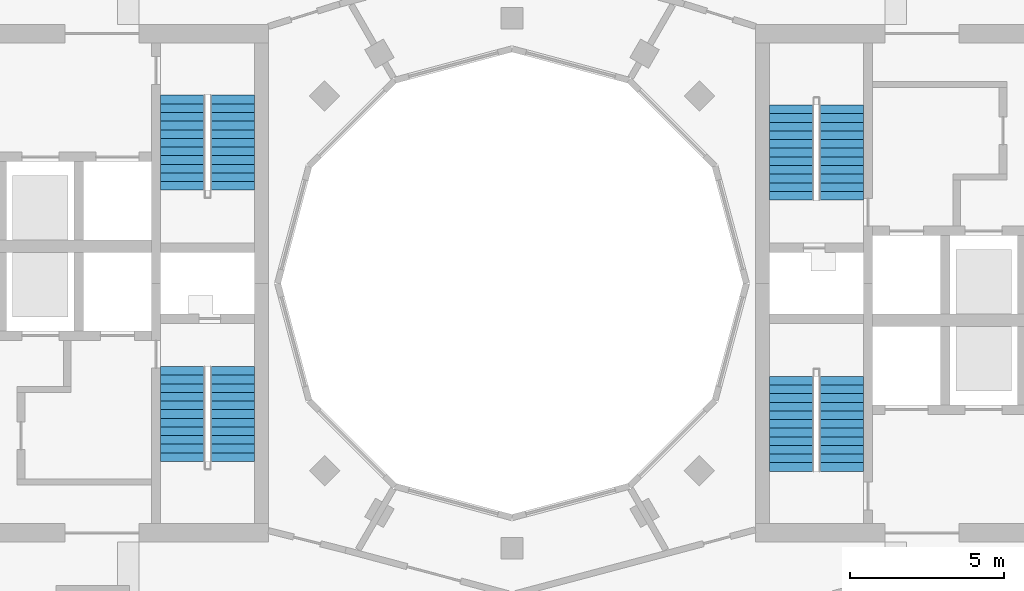
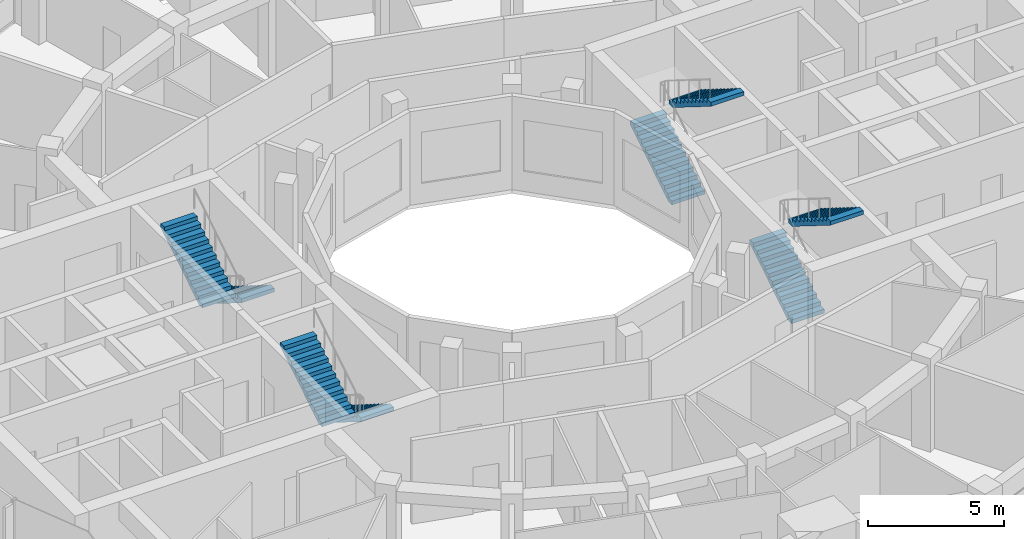
# One storey, part 13 of 15: 8 stair flights, 4 elements without a shape of their own.
"""IFC4 building model written with IfcOpenShell, lengths in metres."""

from ifc_helpers import new_model, si_unit, direction, frame, origin, place, context, subcontext, project, spatial, polyline, outline, extrude, material, layer, layer_set, type_object, element, aggregate, save


model = new_model("IFC4")

# Units and contexts
model_context = context("Model", 3, precision=1e-05, world=origin(), true_north=direction((0.0, 1.0)))
body_context = subcontext(model_context, "Body", "Model", "MODEL_VIEW")
ifc_project = project(units=[si_unit("LENGTHUNIT", "METRE"), si_unit("AREAUNIT", "SQUARE_METRE"), si_unit("VOLUMEUNIT", "CUBIC_METRE"), si_unit("PLANEANGLEUNIT", "RADIAN"), si_unit("MASSUNIT", "GRAM", prefix="KILO")], contexts=[model_context])

# Site, building, storey
site_placement = place(None, origin())
site = spatial("IfcSite", under=ifc_project, at=site_placement, CompositionType="ELEMENT")
building_placement = place(site_placement, origin())
building = spatial("IfcBuilding", under=site, at=building_placement, Name="Torre Brocal", CompositionType="ELEMENT")
storey_placement = place(building_placement, frame((0.0, 0.0, 212.5)))
storey = spatial("IfcBuildingStorey", under=building, at=storey_placement, Name="L49", CompositionType="ELEMENT", Elevation=212.5)

# Stair, stair flights
ifc_material_1 = material(Name="Concrete C50", Category="concrete")
stair_type = type_object("IfcStairType", Name="EXIT STAIR", PredefinedType="HALF_TURN_STAIR", material=ifc_material_1)
stair_1_placement = place(storey_placement, origin())
stair_1 = element("IfcStair", 1, at=stair_1_placement, inside=storey, type_object=stair_type, Name="EXIT STAIR ST1", PredefinedType="HALF_TURN_STAIR")
ifc_material_2 = material(Name="Concrete C50", Category="concrete")
ifc_layer = layer(ifc_material_2, 0.14990234375)
ifc_layer_set = layer_set([ifc_layer], Name="Concrete C50")
stair_flight_type = type_object("IfcStairFlightType", Name="STAIR FLIGHT", PredefinedType="STRAIGHT", material=ifc_layer_set)
stair_flight_1_placement = place(storey_placement, frame((89.050048828125, 77.699951171875, 0.0), z_axis=(0.0, 0.0, 1.0), x_axis=(0.0, 1.0, 0.0)))
stair_flight_1 = element("IfcStairFlight", 2, at=stair_flight_1_placement, type_object=stair_flight_type, Name="ST1 flight 1", NumberOfRisers=12, NumberOfTreads=11, PredefinedType="STRAIGHT", RiserHeight=0.175, TreadLength=0.28, context=body_context, shape_type="SweptSolid", body=[
    extrude(outline(polyline([(0.0, 0.0), (0.0, 0.175048828125), (0.280029296875, 0.175048828125), (0.280029296875, 0.35009765625), (0.56005859375, 0.35009765625), (0.56005859375, 0.52490234375), (0.840087890625, 0.52490234375), (0.840087890625, 0.699951171875), (1.1201171875, 0.699951171875), (1.1201171875, 0.875), (1.39990234375, 0.875), (1.39990234375, 1.050048828125), (1.679931640625, 1.050048828125), (1.679931640625, 1.22509765625), (1.9599609375, 1.22509765625), (1.9599609375, 1.39990234375), (2.239990234375, 1.39990234375), (2.239990234375, 1.574951171875), (2.52001953125, 1.574951171875), (2.52001953125, 1.75), (2.800048828125, 1.75), (2.800048828125, 1.925048828125), (3.080078125, 1.925048828125), (3.080078125, 2.10009765625), (3.080078125, 1.748291015625), (0.28271484375, 0.0), (0.0, 0.0)])), frame((0.0, 0.699951171875, 0.0), z_axis=(0.0, -1.0, 0.0), x_axis=(1.0, 0.0, 0.0)), (0.0, 0.0, 1.0), 1.39990234375),
])
stair_flight_2_placement = place(storey_placement, frame((90.699951171875, 80.780029296875, 2.10009765625), z_axis=(0.0, 0.0, 1.0), x_axis=(0.0, -1.0, 0.0)))
stair_flight_2 = element("IfcStairFlight", 3, at=stair_flight_2_placement, type_object=stair_flight_type, Name="ST1 flight 2", NumberOfRisers=12, NumberOfTreads=11, PredefinedType="STRAIGHT", RiserHeight=0.175, TreadLength=0.28, context=body_context, shape_type="SweptSolid", body=[
    extrude(outline(polyline([(0.0, 0.0), (0.0, 0.175048828125), (0.280029296875, 0.175048828125), (0.280029296875, 0.35009765625), (0.56005859375, 0.35009765625), (0.56005859375, 0.52490234375), (0.840087890625, 0.52490234375), (0.840087890625, 0.699951171875), (1.1201171875, 0.699951171875), (1.1201171875, 0.875), (1.39990234375, 0.875), (1.39990234375, 1.050048828125), (1.679931640625, 1.050048828125), (1.679931640625, 1.22509765625), (1.9599609375, 1.22509765625), (1.9599609375, 1.39990234375), (2.239990234375, 1.39990234375), (2.239990234375, 1.574951171875), (2.52001953125, 1.574951171875), (2.52001953125, 1.75), (2.800048828125, 1.75), (2.800048828125, 1.925048828125), (3.080078125, 1.925048828125), (3.080078125, 2.10009765625), (3.080078125, 1.748291015625), (0.28271484375, 0.0), (0.0, 0.0)])), frame((0.0, 0.699951171875, 0.0), z_axis=(0.0, -1.0, 0.0), x_axis=(1.0, 0.0, 0.0)), (0.0, 0.0, 1.0), 1.39990234375),
])
aggregate(stair_1, [stair_flight_1, stair_flight_2])

stair_2_placement = place(storey_placement, origin())
stair_2 = element("IfcStair", 4, at=stair_2_placement, inside=storey, type_object=stair_type, Name="EXIT STAIR ST2", PredefinedType="HALF_TURN_STAIR")
stair_flight_3_placement = place(storey_placement, frame((89.050048828125, 68.89990234375, 0.0), z_axis=(0.0, 0.0, 1.0), x_axis=(0.0, 1.0, 0.0)))
stair_flight_3 = element("IfcStairFlight", 5, at=stair_flight_3_placement, type_object=stair_flight_type, Name="ST2 flight 1", NumberOfRisers=12, NumberOfTreads=11, PredefinedType="STRAIGHT", RiserHeight=0.175, TreadLength=0.28, context=body_context, shape_type="SweptSolid", body=[
    extrude(outline(polyline([(0.0, 0.0), (0.0, 0.175048828125), (0.280029296875, 0.175048828125), (0.280029296875, 0.35009765625), (0.56005859375, 0.35009765625), (0.56005859375, 0.52490234375), (0.840087890625, 0.52490234375), (0.840087890625, 0.699951171875), (1.1201171875, 0.699951171875), (1.1201171875, 0.875), (1.39990234375, 0.875), (1.39990234375, 1.050048828125), (1.679931640625, 1.050048828125), (1.679931640625, 1.22509765625), (1.9599609375, 1.22509765625), (1.9599609375, 1.39990234375), (2.239990234375, 1.39990234375), (2.239990234375, 1.574951171875), (2.52001953125, 1.574951171875), (2.52001953125, 1.75), (2.800048828125, 1.75), (2.800048828125, 1.925048828125), (3.080078125, 1.925048828125), (3.080078125, 2.10009765625), (3.080078125, 1.748291015625), (0.28271484375, 0.0), (0.0, 0.0)])), frame((0.0, 0.699951171875, 0.0), z_axis=(0.0, -1.0, 0.0), x_axis=(1.0, 0.0, 0.0)), (0.0, 0.0, 1.0), 1.39990234375),
])
stair_flight_4_placement = place(storey_placement, frame((90.699951171875, 71.97998046875, 2.10009765625), z_axis=(0.0, 0.0, 1.0), x_axis=(0.0, -1.0, 0.0)))
stair_flight_4 = element("IfcStairFlight", 6, at=stair_flight_4_placement, type_object=stair_flight_type, Name="ST2 flight 2", NumberOfRisers=12, NumberOfTreads=11, PredefinedType="STRAIGHT", RiserHeight=0.175, TreadLength=0.28, context=body_context, shape_type="SweptSolid", body=[
    extrude(outline(polyline([(0.0, 0.0), (0.0, 0.175048828125), (0.280029296875, 0.175048828125), (0.280029296875, 0.35009765625), (0.56005859375, 0.35009765625), (0.56005859375, 0.52490234375), (0.840087890625, 0.52490234375), (0.840087890625, 0.699951171875), (1.1201171875, 0.699951171875), (1.1201171875, 0.875), (1.39990234375, 0.875), (1.39990234375, 1.050048828125), (1.679931640625, 1.050048828125), (1.679931640625, 1.22509765625), (1.9599609375, 1.22509765625), (1.9599609375, 1.39990234375), (2.239990234375, 1.39990234375), (2.239990234375, 1.574951171875), (2.52001953125, 1.574951171875), (2.52001953125, 1.75), (2.800048828125, 1.75), (2.800048828125, 1.925048828125), (3.080078125, 1.925048828125), (3.080078125, 2.10009765625), (3.080078125, 1.748291015625), (0.28271484375, 0.0), (0.0, 0.0)])), frame((0.0, 0.699951171875, 0.0), z_axis=(0.0, -1.0, 0.0), x_axis=(1.0, 0.0, 0.0)), (0.0, 0.0, 1.0), 1.39990234375),
])
aggregate(stair_2, [stair_flight_3, stair_flight_4])

stair_3_placement = place(storey_placement, origin())
stair_3 = element("IfcStair", 7, at=stair_3_placement, inside=storey, type_object=stair_type, Name="EXIT STAIR ST3", PredefinedType="HALF_TURN_STAIR")
stair_flight_5_placement = place(storey_placement, frame((70.949951171875, 72.300048828125, 0.0), z_axis=(0.0, 0.0, 1.0), x_axis=(0.0, -1.0, 0.0)))
stair_flight_5 = element("IfcStairFlight", 8, at=stair_flight_5_placement, type_object=stair_flight_type, Name="ST3 flight 1", NumberOfRisers=12, NumberOfTreads=11, PredefinedType="STRAIGHT", RiserHeight=0.175, TreadLength=0.28, context=body_context, shape_type="SweptSolid", body=[
    extrude(outline(polyline([(0.0, 0.0), (0.0, 0.175048828125), (0.280029296875, 0.175048828125), (0.280029296875, 0.35009765625), (0.56005859375, 0.35009765625), (0.56005859375, 0.52490234375), (0.840087890625, 0.52490234375), (0.840087890625, 0.699951171875), (1.1201171875, 0.699951171875), (1.1201171875, 0.875), (1.39990234375, 0.875), (1.39990234375, 1.050048828125), (1.679931640625, 1.050048828125), (1.679931640625, 1.22509765625), (1.9599609375, 1.22509765625), (1.9599609375, 1.39990234375), (2.239990234375, 1.39990234375), (2.239990234375, 1.574951171875), (2.52001953125, 1.574951171875), (2.52001953125, 1.75), (2.800048828125, 1.75), (2.800048828125, 1.925048828125), (3.080078125, 1.925048828125), (3.080078125, 2.10009765625), (3.080078125, 1.748291015625), (0.28271484375, 0.0), (0.0, 0.0)])), frame((0.0, 0.699951171875, 0.0), z_axis=(0.0, -1.0, 0.0), x_axis=(1.0, 0.0, 0.0)), (0.0, 0.0, 1.0), 1.39990234375),
])
stair_flight_6_placement = place(storey_placement, frame((69.300048828125, 69.219970703125, 2.10009765625), z_axis=(0.0, 0.0, 1.0), x_axis=(0.0, 1.0, 0.0)))
stair_flight_6 = element("IfcStairFlight", 9, at=stair_flight_6_placement, type_object=stair_flight_type, Name="ST3 flight 2", NumberOfRisers=12, NumberOfTreads=11, PredefinedType="STRAIGHT", RiserHeight=0.175, TreadLength=0.28, context=body_context, shape_type="SweptSolid", body=[
    extrude(outline(polyline([(0.0, 0.0), (0.0, 0.175048828125), (0.280029296875, 0.175048828125), (0.280029296875, 0.35009765625), (0.56005859375, 0.35009765625), (0.56005859375, 0.52490234375), (0.840087890625, 0.52490234375), (0.840087890625, 0.699951171875), (1.1201171875, 0.699951171875), (1.1201171875, 0.875), (1.39990234375, 0.875), (1.39990234375, 1.050048828125), (1.679931640625, 1.050048828125), (1.679931640625, 1.22509765625), (1.9599609375, 1.22509765625), (1.9599609375, 1.39990234375), (2.239990234375, 1.39990234375), (2.239990234375, 1.574951171875), (2.52001953125, 1.574951171875), (2.52001953125, 1.75), (2.800048828125, 1.75), (2.800048828125, 1.925048828125), (3.080078125, 1.925048828125), (3.080078125, 2.10009765625), (3.080078125, 1.748291015625), (0.28271484375, 0.0), (0.0, 0.0)])), frame((0.0, 0.699951171875, 0.0), z_axis=(0.0, -1.0, 0.0), x_axis=(1.0, 0.0, 0.0)), (0.0, 0.0, 1.0), 1.39990234375),
])
aggregate(stair_3, [stair_flight_5, stair_flight_6])

stair_4_placement = place(storey_placement, origin())
stair_4 = element("IfcStair", 10, at=stair_4_placement, inside=storey, type_object=stair_type, Name="EXIT STAIR ST4", PredefinedType="HALF_TURN_STAIR")
stair_flight_7_placement = place(storey_placement, frame((70.949951171875, 81.10009765625, 0.0), z_axis=(0.0, 0.0, 1.0), x_axis=(0.0, -1.0, 0.0)))
stair_flight_7 = element("IfcStairFlight", 11, at=stair_flight_7_placement, type_object=stair_flight_type, Name="ST4 flight 1", NumberOfRisers=12, NumberOfTreads=11, PredefinedType="STRAIGHT", RiserHeight=0.175, TreadLength=0.28, context=body_context, shape_type="SweptSolid", body=[
    extrude(outline(polyline([(0.0, 0.0), (0.0, 0.175048828125), (0.280029296875, 0.175048828125), (0.280029296875, 0.35009765625), (0.56005859375, 0.35009765625), (0.56005859375, 0.52490234375), (0.840087890625, 0.52490234375), (0.840087890625, 0.699951171875), (1.1201171875, 0.699951171875), (1.1201171875, 0.875), (1.39990234375, 0.875), (1.39990234375, 1.050048828125), (1.679931640625, 1.050048828125), (1.679931640625, 1.22509765625), (1.9599609375, 1.22509765625), (1.9599609375, 1.39990234375), (2.239990234375, 1.39990234375), (2.239990234375, 1.574951171875), (2.52001953125, 1.574951171875), (2.52001953125, 1.75), (2.800048828125, 1.75), (2.800048828125, 1.925048828125), (3.080078125, 1.925048828125), (3.080078125, 2.10009765625), (3.080078125, 1.748291015625), (0.28271484375, 0.0), (0.0, 0.0)])), frame((0.0, 0.699951171875, 0.0), z_axis=(0.0, -1.0, 0.0), x_axis=(1.0, 0.0, 0.0)), (0.0, 0.0, 1.0), 1.39990234375),
])
stair_flight_8_placement = place(storey_placement, frame((69.300048828125, 78.02001953125, 2.10009765625), z_axis=(0.0, 0.0, 1.0), x_axis=(0.0, 1.0, 0.0)))
stair_flight_8 = element("IfcStairFlight", 12, at=stair_flight_8_placement, type_object=stair_flight_type, Name="ST4 flight 2", NumberOfRisers=12, NumberOfTreads=11, PredefinedType="STRAIGHT", RiserHeight=0.175, TreadLength=0.28, context=body_context, shape_type="SweptSolid", body=[
    extrude(outline(polyline([(0.0, 0.0), (0.0, 0.175048828125), (0.280029296875, 0.175048828125), (0.280029296875, 0.35009765625), (0.56005859375, 0.35009765625), (0.56005859375, 0.52490234375), (0.840087890625, 0.52490234375), (0.840087890625, 0.699951171875), (1.1201171875, 0.699951171875), (1.1201171875, 0.875), (1.39990234375, 0.875), (1.39990234375, 1.050048828125), (1.679931640625, 1.050048828125), (1.679931640625, 1.22509765625), (1.9599609375, 1.22509765625), (1.9599609375, 1.39990234375), (2.239990234375, 1.39990234375), (2.239990234375, 1.574951171875), (2.52001953125, 1.574951171875), (2.52001953125, 1.75), (2.800048828125, 1.75), (2.800048828125, 1.925048828125), (3.080078125, 1.925048828125), (3.080078125, 2.10009765625), (3.080078125, 1.748291015625), (0.28271484375, 0.0), (0.0, 0.0)])), frame((0.0, 0.699951171875, 0.0), z_axis=(0.0, -1.0, 0.0), x_axis=(1.0, 0.0, 0.0)), (0.0, 0.0, 1.0), 1.39990234375),
])
aggregate(stair_4, [stair_flight_7, stair_flight_8])

save(model, "model.ifc")
